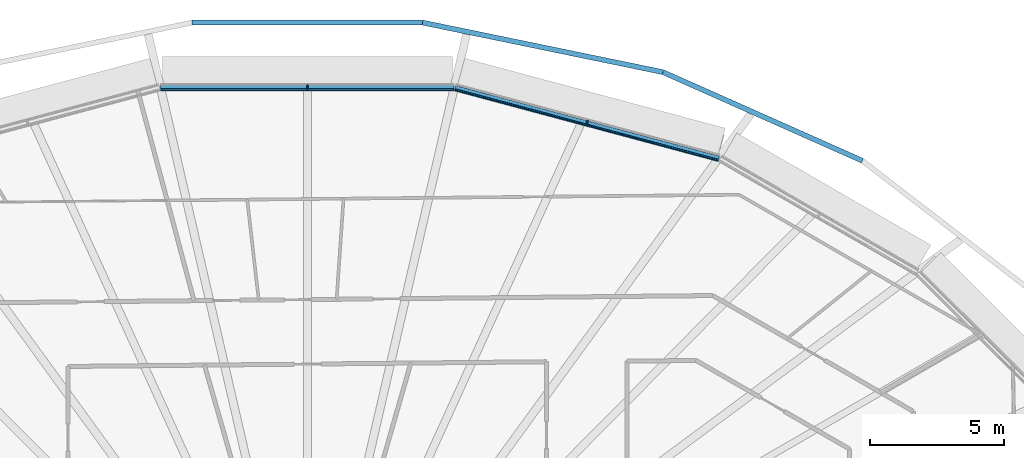
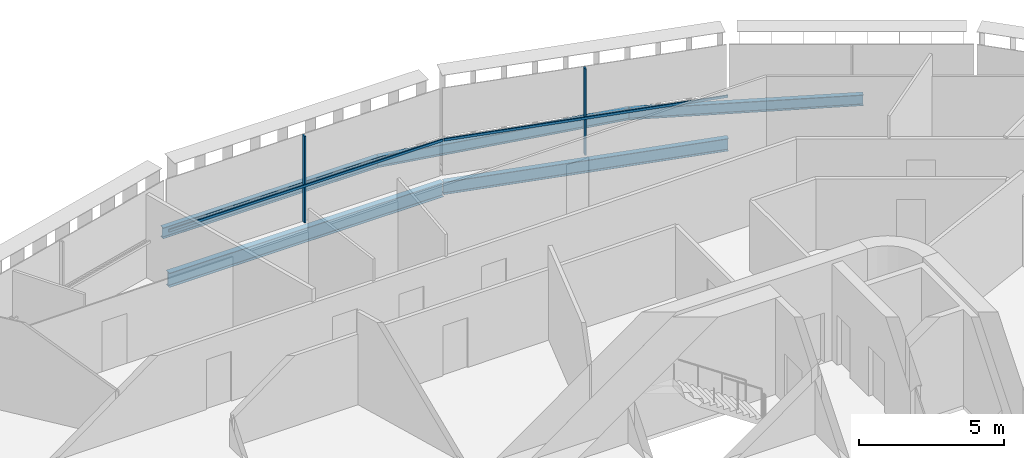
# One storey, part 11 of 26: 5 beams, 4 members, 2 elements without a shape of their own.
"""IFC4 building model written with IfcOpenShell, lengths in metres."""

from ifc_helpers import new_model, si_unit, direction, frame, origin, origin_2d, place, context, subcontext, project, spatial, rectangle, i_section, extrude, material, layer, layer_set, material_profile, profile_set, type_object, element, aggregate, save


model = new_model("IFC4")

# Units and contexts
model_context = context("Model", 3, precision=1e-05, world=origin(), true_north=direction((0.0, 1.0)))
body_context = subcontext(model_context, "Body", "Model", "MODEL_VIEW")
ifc_project = project(units=[si_unit("LENGTHUNIT", "METRE"), si_unit("AREAUNIT", "SQUARE_METRE"), si_unit("VOLUMEUNIT", "CUBIC_METRE"), si_unit("PLANEANGLEUNIT", "RADIAN"), si_unit("MASSUNIT", "GRAM", prefix="KILO")], contexts=[model_context])

# Site, building, storey
site_placement = place(None, origin())
site = spatial("IfcSite", under=ifc_project, at=site_placement, CompositionType="ELEMENT")
building_placement = place(site_placement, origin())
building = spatial("IfcBuilding", under=site, at=building_placement, Name="Sahrelin Media Tower", CompositionType="ELEMENT")
storey_placement = place(building_placement, frame((0.0, 0.0, 88.199951171875)))
storey = spatial("IfcBuildingStorey", under=building, at=storey_placement, Name="L16", CompositionType="ELEMENT", Elevation=88.199951171875)

# Beams
ifc_material_1 = material(Name="Steel S355", Category="steel")
ifc_material_profile_1 = material_profile(ifc_material_1, i_section(OverallWidth=0.208740234375, OverallDepth=0.5283203125, WebThickness=0.009521484375, FlangeThickness=0.01318359375, FilletRadius=0.0126953125, at=origin_2d()), Name="UB 533x210x82")
ifc_profile_set_1 = profile_set([ifc_material_profile_1], Name="Steel S355")
beam_type_1 = type_object("IfcBeamType", Name="Edge beam EB6", PredefinedType="BEAM", material=ifc_profile_set_1)
beam_1_placement = place(storey_placement, frame((5.48828125, 23.632568359375, -0.4140625), z_axis=(0.965923284876, -0.258828529599, 0.0), x_axis=(0.258828529599, 0.965923284876, 0.0)))
element("IfcBeam", 1, at=beam_1_placement, inside=storey, type_object=beam_type_1, Name="Edge beam L16-20", PredefinedType="BEAM", context=body_context, shape_type="SweptSolid", body=[
    extrude(i_section(OverallWidth=0.208740234375, OverallDepth=0.5283203125, WebThickness=0.009521484375, FlangeThickness=0.01318359375, FilletRadius=0.0126953125, at=origin_2d()), origin(), (0.0, 0.0, 1.0), 10.16455078125),
])
ifc_material_profile_2 = material_profile(ifc_material_1, i_section(OverallWidth=0.2275390625, OverallDepth=0.6025390625, WebThickness=0.010498046875, FlangeThickness=0.014892578125, FilletRadius=0.0126953125, at=origin_2d()), Name="UB 610x229x101")
ifc_profile_set_2 = profile_set([ifc_material_profile_2], Name="Steel S355")
beam_type_2 = type_object("IfcBeamType", Name="Edge beam EB7", PredefinedType="BEAM", material=ifc_profile_set_2)
beam_2_placement = place(storey_placement, frame((-5.459716796875, 23.63623046875, -0.451171875), z_axis=(1.0, 0.0, 0.0), x_axis=(0.0, 1.0, 0.0)))
element("IfcBeam", 2, at=beam_2_placement, inside=storey, type_object=beam_type_2, Name="Edge beam L16-19", PredefinedType="BEAM", context=body_context, shape_type="SweptSolid", body=[
    extrude(i_section(OverallWidth=0.2275390625, OverallDepth=0.6025390625, WebThickness=0.010498046875, FlangeThickness=0.014892578125, FilletRadius=0.0126953125, at=origin_2d()), origin(), (0.0, 0.0, 1.0), 10.91943359375),
])

# Curtain wall, member
ifc_material_2 = material(Name="Champagne anodised aluminium 6063-T6", Category="aluminium")
ifc_layer = layer(ifc_material_2, 0.14990234375)
ifc_layer_set = layer_set([ifc_layer], Name="Tower ribbon curtain wall")
curtain_wall_type = type_object("IfcCurtainWallType", Name="Tower ribbon curtain wall", PredefinedType="NOTDEFINED", material=ifc_layer_set)
curtain_wall_1_placement = place(storey_placement, frame((10.436279296875, 22.4619140625, 0.0), z_axis=(0.0, 0.0, 1.0), x_axis=(1.0, 0.0, 0.0)))
curtain_wall_1 = element("IfcCurtainWall", 3, at=curtain_wall_1_placement, inside=storey, type_object=curtain_wall_type, Name="L16:CW:L16-05", PredefinedType="NOTDEFINED")
ifc_material_profile_3 = material_profile(ifc_material_2, rectangle(XDim=0.06005859375, YDim=0.14990234375, at=origin_2d()), Name="Mullion 60x150")
ifc_profile_set_3 = profile_set([ifc_material_profile_3], Name="Champagne anodised aluminium 6063-T6")
member_type_1 = type_object("IfcMemberType", Name="Mullion 60x150 CW1", PredefinedType="MULLION", material=ifc_profile_set_3)
member_1_placement = place(storey_placement, frame((10.41162109375, 22.370361328125, 0.0), z_axis=(0.0, 0.0, 1.0), x_axis=(-0.965926278012, 0.258817359244, 0.0)))
member_1 = element("IfcMember", 4, at=member_1_placement, type_object=member_type_1, Name="L16:CWM:L16-05", PredefinedType="MULLION", context=body_context, shape_type="SweptSolid", body=[
    extrude(rectangle(XDim=0.06005859375, YDim=0.14990234375, at=origin_2d()), origin(), (0.0, 0.0, 1.0), 3.648681640625),
])

curtain_wall_2_placement = place(storey_placement, frame((0.0, 23.786376953125, 0.0), z_axis=(0.0, 0.0, 1.0), x_axis=(1.0, 0.0, 0.0)))
curtain_wall_2 = element("IfcCurtainWall", 5, at=curtain_wall_2_placement, inside=storey, type_object=curtain_wall_type, Name="L16:CW:L16-06", PredefinedType="NOTDEFINED")
member_2_placement = place(storey_placement, frame((0.0, 23.69140625, 0.0), z_axis=(0.0, 0.0, 1.0), x_axis=(-1.0, 0.0, 0.0)))
member_2 = element("IfcMember", 6, at=member_2_placement, type_object=member_type_1, Name="L16:CWM:L16-06", PredefinedType="MULLION", context=body_context, shape_type="SweptSolid", body=[
    extrude(rectangle(XDim=0.06005859375, YDim=0.14990234375, at=origin_2d()), origin(), (0.0, 0.0, 1.0), 3.648681640625),
])

# Beams
ifc_material_profile_4 = material_profile(ifc_material_1, i_section(OverallWidth=0.1904296875, OverallDepth=0.45703125, WebThickness=0.009033203125, FlangeThickness=0.014404296875, FilletRadius=0.01025390625, at=origin_2d()), Name="UB 457x191x74")
ifc_profile_set_4 = profile_set([ifc_material_profile_4], Name="Steel S355")
beam_type_3 = type_object("IfcBeamType", Name="Tie chord TC5", PredefinedType="BEAM", material=ifc_profile_set_4)
beam_3_placement = place(storey_placement, frame((20.647705078125, 20.934814453125, -0.37841796875), z_axis=(-0.913831394802, 0.406093809205, 0.0), x_axis=(-0.406093809205, -0.913831394802, 0.0)))
element("IfcBeam", 7, at=beam_3_placement, inside=storey, type_object=beam_type_3, Name="Tie chord L16-04", PredefinedType="BEAM", context=body_context, shape_type="SweptSolid", body=[
    extrude(i_section(OverallWidth=0.1904296875, OverallDepth=0.45703125, WebThickness=0.009033203125, FlangeThickness=0.014404296875, FilletRadius=0.01025390625, at=origin_2d()), origin(), (0.0, 0.0, 1.0), 8.1162109375),
])
beam_4_placement = place(storey_placement, frame((13.23095703125, 24.230712890625, -0.37841796875), z_axis=(-0.979391646245, 0.201970302932, 0.0), x_axis=(-0.201970302932, -0.979391646245, 0.0)))
element("IfcBeam", 8, at=beam_4_placement, inside=storey, type_object=beam_type_3, Name="Tie chord L16-05", PredefinedType="BEAM", context=body_context, shape_type="SweptSolid", body=[
    extrude(i_section(OverallWidth=0.1904296875, OverallDepth=0.45703125, WebThickness=0.009033203125, FlangeThickness=0.014404296875, FilletRadius=0.01025390625, at=origin_2d()), origin(), (0.0, 0.0, 1.0), 9.13720703125),
])
beam_5_placement = place(storey_placement, frame((4.281982421875, 26.076171875, -0.37841796875), z_axis=(-1.0, 0.0, 0.0), x_axis=(0.0, -1.0, 0.0)))
element("IfcBeam", 9, at=beam_5_placement, inside=storey, type_object=beam_type_3, Name="Tie chord L16-06", PredefinedType="BEAM", context=body_context, shape_type="SweptSolid", body=[
    extrude(i_section(OverallWidth=0.1904296875, OverallDepth=0.45703125, WebThickness=0.009033203125, FlangeThickness=0.014404296875, FilletRadius=0.01025390625, at=origin_2d()), origin(), (0.0, 0.0, 1.0), 8.56396484375),
])

# Member
ifc_material_profile_5 = material_profile(ifc_material_2, rectangle(XDim=0.050048828125, YDim=0.10009765625, at=origin_2d()), Name="Transom 50x100")
ifc_profile_set_5 = profile_set([ifc_material_profile_5], Name="Champagne anodised aluminium 6063-T6")
member_type_2 = type_object("IfcMemberType", Name="Transom 50x100 CW1", PredefinedType="USERDEFINED", material=ifc_profile_set_5)
member_3_placement = place(storey_placement, frame((15.279541015625, 20.96240234375, 1.60009765625), z_axis=(-0.965927940896, 0.258811153154, 0.0), x_axis=(-0.258811153154, -0.965927940896, 0.0)))
member_3 = element("IfcMember", 10, at=member_3_placement, type_object=member_type_2, Name="L16:CWT:L16-05", ObjectType="TRANSOM", PredefinedType="USERDEFINED", context=body_context, shape_type="SweptSolid", body=[
    extrude(rectangle(XDim=0.050048828125, YDim=0.10009765625, at=origin_2d()), origin(), (0.0, 0.0, 1.0), 10.133056640625),
])

aggregate(curtain_wall_1, [member_1, member_3])

member_4_placement = place(storey_placement, frame((5.444091796875, 23.59130859375, 1.60009765625), z_axis=(-1.0, 0.0, 0.0), x_axis=(0.0, -1.0, 0.0)))
member_4 = element("IfcMember", 11, at=member_4_placement, type_object=member_type_2, Name="L16:CWT:L16-06", ObjectType="TRANSOM", PredefinedType="USERDEFINED", context=body_context, shape_type="SweptSolid", body=[
    extrude(rectangle(XDim=0.050048828125, YDim=0.10009765625, at=origin_2d()), origin(), (0.0, 0.0, 1.0), 10.88818359375),
])

aggregate(curtain_wall_2, [member_2, member_4])

save(model, "model.ifc")
